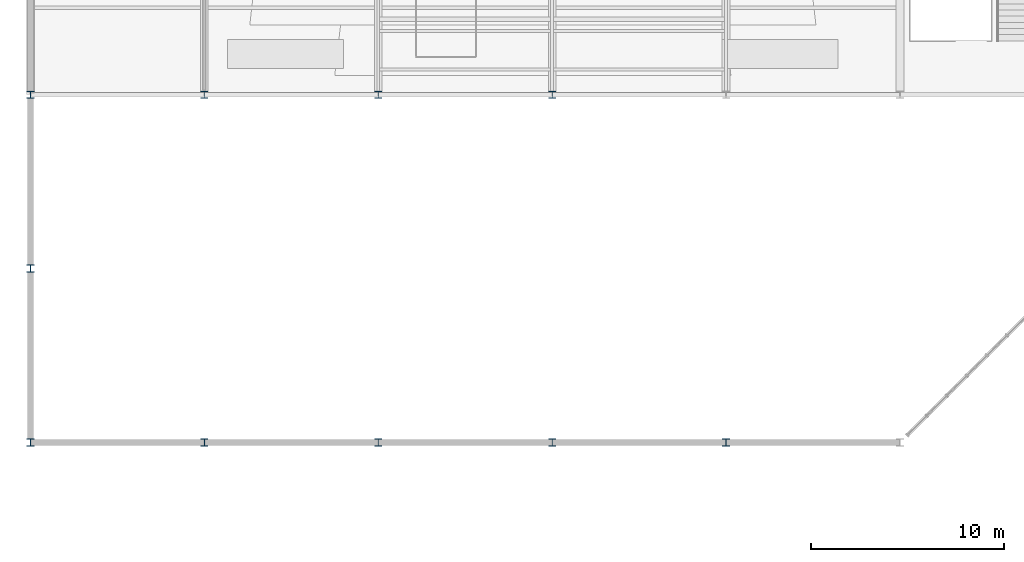
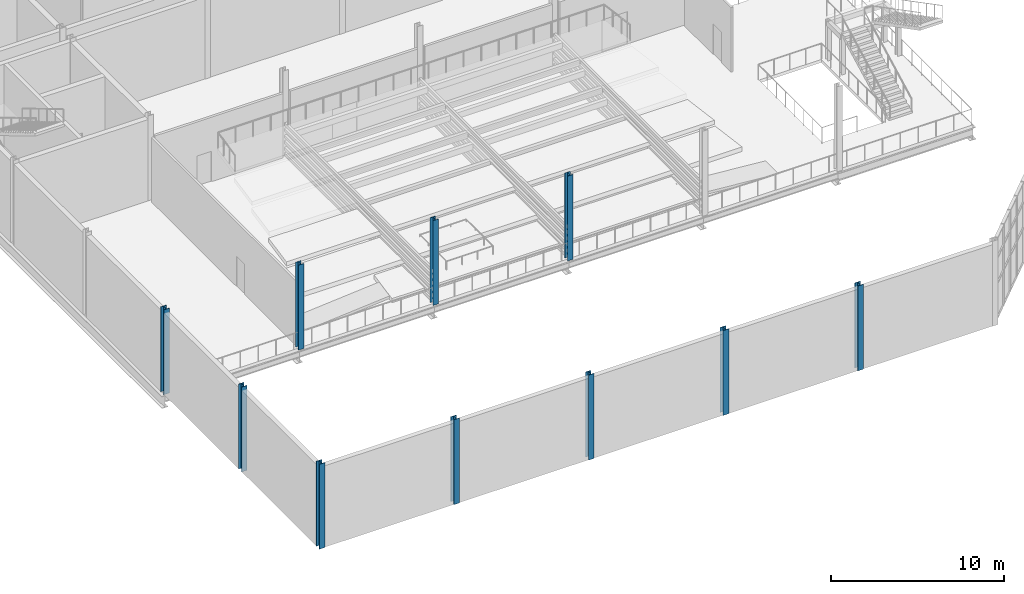
# One storey, part 1 of 159: 10 columns.
"""IFC4 building model written with IfcOpenShell, lengths in metres."""

import ifcopenshell
import ifcopenshell.guid

model = None  # the IFC model being written
_history = None  # IfcOwnerHistory: only IFC2X3 demands one
_inside = {}  # id of a spatial element -> (the spatial element, [elements in it])
_under = {}  # id of a project, library or spatial element -> (it, [spatial elements below it])
_declared = {}  # id of a project -> (the project, [libraries it declares])
_typed = {}  # id of a type object -> (the type object, [elements of that type])
_made_of = {}  # id of a material, layer set ... -> (it, [elements and type objects made of it])


def new_model(schema):
    """Start an empty IFC model of exactly this schema.

    Asked for "IFC4X3", IfcOpenShell would pick the latest addendum, in which some entities
    have other attributes; the version numbers below select the first issue.
    IFC2X3 requires an IfcOwnerHistory on every rooted entity: one is made here for all.
    """
    global model, _history
    if schema == "IFC4X3":
        model = ifcopenshell.file(schema_version=(4, 3, 0, 0))
    else:
        model = ifcopenshell.file(schema=schema)
    _inside.clear()
    _under.clear()
    _declared.clear()
    _typed.clear()
    _made_of.clear()
    _history = None
    if model.schema == "IFC2X3":
        org = make("IfcOrganization", Name="unknown")
        user = make(
            "IfcPersonAndOrganization",
            ThePerson=make("IfcPerson", FamilyName="unknown"),
            TheOrganization=org,
        )
        app = make(
            "IfcApplication",
            ApplicationDeveloper=org,
            Version="unknown",
            ApplicationFullName="unknown",
            ApplicationIdentifier="unknown",
        )
        _history = make(
            "IfcOwnerHistory",
            OwningUser=user,
            OwningApplication=app,
            ChangeAction="ADDED",
            CreationDate=0,
        )
    return model


def make(cls, **values):
    """One entity of the class cls with the attributes given. An attribute that is None is left unset."""
    return model.create_entity(
        cls, **{name: value for name, value in values.items() if value is not None}
    )


def rooted(cls, **values):
    """An entity with a GlobalId (a new one), such as an element, a storey or a relation."""
    return make(cls, GlobalId=ifcopenshell.guid.new(), OwnerHistory=_history, **values)


def si_unit(unit_type, name, prefix=None):
    """IfcSIUnit, for example si_unit("LENGTHUNIT", "METRE", prefix="MILLI")."""
    return make("IfcSIUnit", UnitType=unit_type, Prefix=prefix, Name=name)


def assignment(units):
    """IfcUnitAssignment: the units of a project."""
    return None if units is None else make("IfcUnitAssignment", Units=units)


def point(xyz):
    """IfcCartesianPoint."""
    return None if xyz is None else make("IfcCartesianPoint", Coordinates=xyz)


def direction(xyz):
    """IfcDirection."""
    return None if xyz is None else make("IfcDirection", DirectionRatios=xyz)


def frame(location, z_axis=None, x_axis=None):
    """IfcAxis2Placement3D, a coordinate frame: its origin and axes. An axis left out is left unset."""
    return make(
        "IfcAxis2Placement3D",
        Location=point(location),
        Axis=direction(z_axis),
        RefDirection=direction(x_axis),
    )


def frame_2d(location, x_axis=None):
    """IfcAxis2Placement2D, a coordinate frame in the plane: its origin and x axis."""
    return make(
        "IfcAxis2Placement2D", Location=point(location), RefDirection=direction(x_axis)
    )


def origin():
    """The frame at (0, 0, 0) with its axes left unset."""
    return frame((0.0, 0.0, 0.0))


def origin_2d():
    """The frame at (0, 0) in the plane with its x axis left unset."""
    return frame_2d((0.0, 0.0))


def place(relative_to, where):
    """IfcLocalPlacement: puts the frame where relative to a parent placement (None: the world)."""
    return make(
        "IfcLocalPlacement", PlacementRelTo=relative_to, RelativePlacement=where
    )


def context(
    kind, dimensions, precision=None, world=None, true_north=None, identifier=None
):
    """IfcGeometricRepresentationContext, for example the 3D "Model" context."""
    return make(
        "IfcGeometricRepresentationContext",
        ContextIdentifier=identifier,
        ContextType=kind,
        CoordinateSpaceDimension=dimensions,
        Precision=precision,
        WorldCoordinateSystem=world,
        TrueNorth=true_north,
    )


def subcontext(parent, identifier, kind, view, scale=None):
    """IfcGeometricRepresentationSubContext, for example "Body" below "Model"."""
    return make(
        "IfcGeometricRepresentationSubContext",
        ContextIdentifier=identifier,
        ContextType=kind,
        ParentContext=parent,
        TargetScale=scale,
        TargetView=view,
    )


def project(units=None, contexts=None):
    """IfcProject with its units and contexts."""
    return rooted(
        "IfcProject",
        Name="project",
        RepresentationContexts=contexts,
        UnitsInContext=assignment(units),
    )


def spatial(cls, under=None, at=None, **own):
    """A site, building, storey or space (cls), placed at a placement, below another one or the project."""
    s = rooted(cls, ObjectPlacement=at, **own)
    if under is not None:
        _under.setdefault(under.id(), (under, []))[1].append(s)
    return s


def profile(cls, at=None, kind="AREA", **sizes):
    """A parametric profile (cls). Its sizes go by their IFC names, for example OverallWidth=200.0."""
    return make(cls, ProfileType=kind, Position=at, **sizes)


def i_section(**sizes):
    """IfcIShapeProfileDef."""
    return profile("IfcIShapeProfileDef", **sizes)


def extrude(swept, where, along, depth):
    """IfcExtrudedAreaSolid: the profile swept, set in the frame where, extruded along a direction by depth."""
    return make(
        "IfcExtrudedAreaSolid",
        SweptArea=swept,
        Position=where,
        ExtrudedDirection=direction(along),
        Depth=depth,
    )


def shape(context_of_items, identifier, shape_type, items):
    """IfcShapeRepresentation: the items that make up one representation, for example the "Body"."""
    return make(
        "IfcShapeRepresentation",
        ContextOfItems=context_of_items,
        RepresentationIdentifier=identifier,
        RepresentationType=shape_type,
        Items=items,
    )


def material(Name=None, Category=None):
    """IfcMaterial."""
    return make("IfcMaterial", Name=Name, Category=Category)


def material_profile(
    of_material, cross_section, Name=None, Category=None, Priority=None
):
    """IfcMaterialProfile: a cross section and its material."""
    return make(
        "IfcMaterialProfile",
        Name=Name,
        Material=of_material,
        Profile=cross_section,
        Priority=Priority,
        Category=Category,
    )


def profile_set(profiles, Name=None, composite=None):
    """IfcMaterialProfileSet."""
    return make(
        "IfcMaterialProfileSet",
        Name=Name,
        MaterialProfiles=profiles,
        CompositeProfile=composite,
    )


def made_of(thing, what):
    """Note that an element or type object is made of a material, layer set ...; save() writes the relation."""
    if what is not None:
        _made_of.setdefault(what.id(), (what, []))[1].append(thing)
    return thing


def type_object(cls, material=None, **own):
    """A type object (cls), such as IfcWallType, which elements share."""
    return made_of(rooted(cls, **own), material)


def element(
    cls,
    number,
    at=None,
    inside=None,
    cuts=None,
    type_object=None,
    material=None,
    context=None,
    identifier="Body",
    shape_type=None,
    held_by="IfcProductDefinitionShape",
    body=None,
    shapes=None,
    **own,
):
    """One element of the class cls, such as IfcWall. Its Tag is "e" and its number.

    at: its placement. inside: the storey or other place that contains it. cuts: it is an
    opening in that element (IfcRelVoidsElement). A single representation is given by context,
    identifier, shape_type and body (its items); several are given by shapes. held_by: the class
    of the entity that holds the representations. save() writes the other relations.
    """
    e = rooted(cls, Tag="e%d" % number, ObjectPlacement=at, **own)
    if body is not None:
        shapes = [shape(context, identifier, shape_type, body)]
    if shapes is not None:
        e.Representation = make(held_by, Representations=shapes)
    if inside is not None:
        _inside.setdefault(inside.id(), (inside, []))[1].append(e)
    if cuts is not None:
        rooted(
            "IfcRelVoidsElement", RelatingBuildingElement=cuts, RelatedOpeningElement=e
        )
    if type_object is not None:
        _typed.setdefault(type_object.id(), (type_object, []))[1].append(e)
    return made_of(e, material)


def aggregate(whole, parts):
    """IfcRelAggregates: a whole, such as a stair, and the parts it consists of."""
    return rooted("IfcRelAggregates", RelatingObject=whole, RelatedObjects=parts)


def save(model, path):
    """Write the relations noted so far, then the file.

    IfcRelAggregates (storeys below a building ...), IfcRelContainedInSpatialStructure (elements
    in a storey), IfcRelDefinesByType, IfcRelAssociatesMaterial and IfcRelDeclares: one each for
    every whole, place, type object, material and project.
    """
    for whole, parts in _under.values():
        aggregate(whole, parts)
    for where, things in _inside.values():
        rooted(
            "IfcRelContainedInSpatialStructure",
            RelatedElements=things,
            RelatingStructure=where,
        )
    for kind, things in _typed.values():
        rooted("IfcRelDefinesByType", RelatedObjects=things, RelatingType=kind)
    for what, things in _made_of.values():
        rooted("IfcRelAssociatesMaterial", RelatedObjects=things, RelatingMaterial=what)
    for by, libraries in _declared.values():
        rooted("IfcRelDeclares", RelatingContext=by, RelatedDefinitions=libraries)
    model.write(path)


model = new_model("IFC4")

# Units and contexts
model_context = context("Model", 3, precision=1e-05, world=origin(), true_north=direction((0.0, 1.0)))
body_context = subcontext(model_context, "Body", "Model", "MODEL_VIEW")
ifc_project = project(units=[si_unit("LENGTHUNIT", "METRE"), si_unit("AREAUNIT", "SQUARE_METRE"), si_unit("VOLUMEUNIT", "CUBIC_METRE"), si_unit("PLANEANGLEUNIT", "RADIAN"), si_unit("MASSUNIT", "GRAM", prefix="KILO")], contexts=[model_context])

# Site, building, storey
site_placement = place(None, origin())
site = spatial("IfcSite", under=ifc_project, at=site_placement, CompositionType="ELEMENT")
building_placement = place(site_placement, origin())
building = spatial("IfcBuilding", under=site, at=building_placement, Name="Cazmaro Siding Exhibition Halls", CompositionType="ELEMENT")
storey_placement = place(building_placement, frame((0.0, 0.0, 6.0)))
storey = spatial("IfcBuildingStorey", under=building, at=storey_placement, Name="L01", CompositionType="ELEMENT", Elevation=6.0)

# Columns
ifc_material_1 = material(Name="Steel ASTM A992 Grade 50", Category="steel")
ifc_material_profile_1 = material_profile(ifc_material_1, i_section(OverallWidth=0.373046875, OverallDepth=0.373046875, WebThickness=0.01611328125, FlangeThickness=0.02587890625, at=origin_2d()), Name="W14X132")
ifc_profile_set_1 = profile_set([ifc_material_profile_1], Name="Steel ASTM A992 Grade 50")
column_type_1 = type_object("IfcColumnType", Name="C-04", PredefinedType="COLUMN", material=ifc_profile_set_1)
for number, where, z_axis, x_axis, name in (
    (1, (0.0, 9.0, 0.0), (0.0, 0.0, 1.0), (1.0, 0.0, 0.0), "Column C-04 COL-0794"),
    (2, (9.0, 9.0, 0.0), (0.0, 0.0, 1.0), (1.0, 0.0, 0.0), "Column C-04 COL-0797"),
    (3, (18.0, 9.0, 0.0), (0.0, 0.0, 1.0), (1.0, 0.0, 0.0), "Column C-04 COL-0800"),
    (4, (27.0, 9.0, 0.0), (0.0, 0.0, 1.0), (1.0, 0.0, 0.0), "Column C-04 COL-0803"),
    (5, (36.0, 9.0, 0.0), (0.0, 0.0, 1.0), (1.0, 0.0, 0.0), "Column C-04 COL-0806"),
    (6, (0.0, 27.0, 0.0), (0.0, 0.0, 1.0), (1.0, 0.0, 0.0), "Column C-04 COL-0854"),
    (7, (0.0, 18.0, 0.0), (0.0, 0.0, 1.0), (1.0, 0.0, 0.0), "Column C-04 COL-0857"),
):
    element("IfcColumn", number, at=place(storey_placement, frame(where, z_axis=z_axis, x_axis=x_axis)), inside=storey, type_object=column_type_1, Name=name, PredefinedType="COLUMN", context=body_context, shape_type="SweptSolid", body=[
        extrude(i_section(OverallWidth=0.373046875, OverallDepth=0.373046875, WebThickness=0.01611328125, FlangeThickness=0.02587890625, at=origin_2d()), origin(), (0.0, 0.0, 1.0), 6.0),
    ])
ifc_material_2 = material(Name="Steel ASTM A992 Grade 50", Category="steel")
ifc_material_profile_2 = material_profile(ifc_material_2, i_section(OverallWidth=0.367919921875, OverallDepth=0.35595703125, WebThickness=0.010986328125, FlangeThickness=0.01806640625, at=origin_2d()), Name="W14X90")
ifc_profile_set_2 = profile_set([ifc_material_profile_2], Name="Steel ASTM A992 Grade 50")
column_type_2 = type_object("IfcColumnType", Name="C-05", PredefinedType="COLUMN", material=ifc_profile_set_2)
for number, where, z_axis, x_axis, name in (
    (8, (9.0, 27.0, 0.0), (0.0, 0.0, 1.0), (1.0, 0.0, 0.0), "Column C-05 COL-0860"),
    (9, (18.0, 27.0, 0.0), (0.0, 0.0, 1.0), (1.0, 0.0, 0.0), "Column C-05 COL-0864"),
    (10, (27.0, 27.0, 0.0), (0.0, 0.0, 1.0), (1.0, 0.0, 0.0), "Column C-05 COL-0868"),
):
    element("IfcColumn", number, at=place(storey_placement, frame(where, z_axis=z_axis, x_axis=x_axis)), inside=storey, type_object=column_type_2, Name=name, PredefinedType="COLUMN", context=body_context, shape_type="SweptSolid", body=[
        extrude(i_section(OverallWidth=0.367919921875, OverallDepth=0.35595703125, WebThickness=0.010986328125, FlangeThickness=0.01806640625, at=origin_2d()), origin(), (0.0, 0.0, 1.0), 6.0),
    ])

save(model, "model.ifc")
